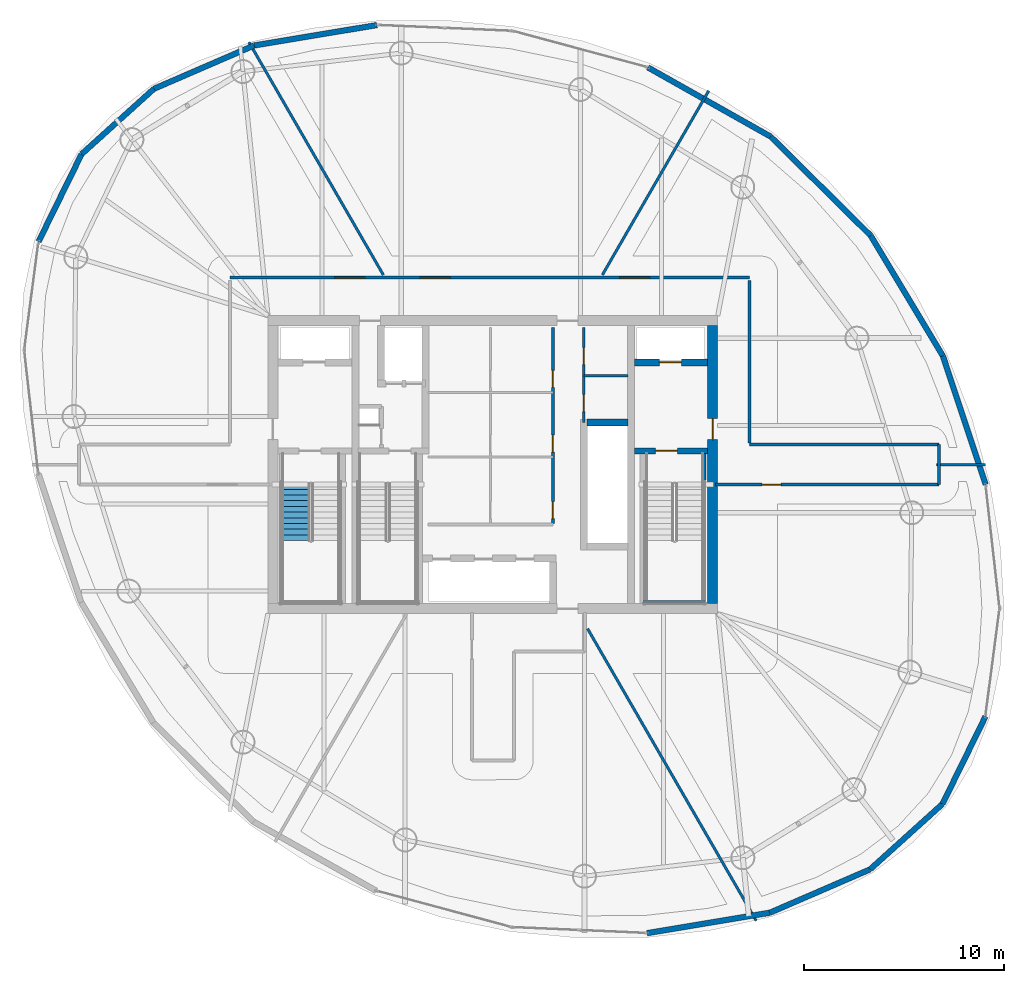
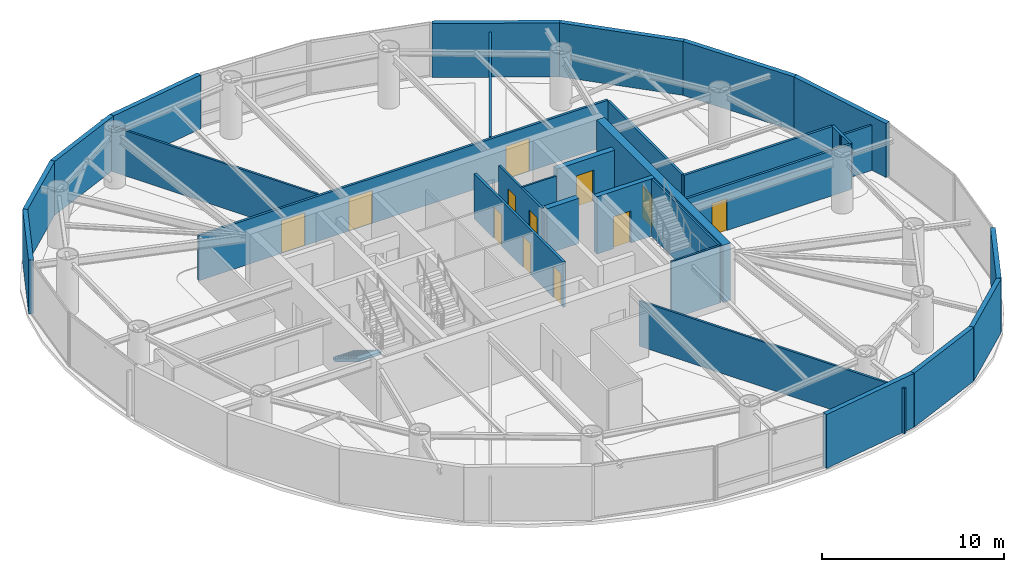
# One storey, part 15 of 20: 30 walls, 12 doors, 1 stair flight, 12 openings, 1 element without a shape of its own.
"""IFC4 building model written with IfcOpenShell, lengths in metres."""

from ifc_helpers import new_model, si_unit, direction, frame, frame_2d, origin, place, context, subcontext, project, spatial, polyline, rectangle, outline, extrude, material, layer, layer_set, type_object, element, fill, aggregate, save


model = new_model("IFC4")

# Units and contexts
model_context = context("Model", 3, precision=1e-05, world=origin(), true_north=direction((0.0, 1.0)))
body_context = subcontext(model_context, "Body", "Model", "MODEL_VIEW")
ifc_project = project(units=[si_unit("LENGTHUNIT", "METRE"), si_unit("AREAUNIT", "SQUARE_METRE"), si_unit("VOLUMEUNIT", "CUBIC_METRE"), si_unit("PLANEANGLEUNIT", "RADIAN"), si_unit("MASSUNIT", "GRAM", prefix="KILO")], contexts=[model_context])

# Site, building, storey
site_placement = place(None, origin())
site = spatial("IfcSite", under=ifc_project, at=site_placement, CompositionType="ELEMENT")
building_placement = place(site_placement, origin())
building = spatial("IfcBuilding", under=site, at=building_placement, Name="Bramvorn Convention Spire", CompositionType="ELEMENT")
storey_placement = place(building_placement, frame((0.0, 0.0, 178.89990234375)))
storey = spatial("IfcBuildingStorey", under=building, at=storey_placement, Name="L45", CompositionType="ELEMENT", Elevation=178.89990234375)

# Wall, opening, door
ifc_material_1 = material(Name="Concrete C50/60", Category="concrete")
ifc_layer_1 = layer(ifc_material_1, 0.5)
ifc_layer_set_1 = layer_set([ifc_layer_1], Name="Concrete C50/60 - WL-CORE-500")
wall_type_1 = type_object("IfcWallType", Name="WL-CORE-500", PredefinedType="SHEAR", material=ifc_layer_set_1)
wall_1_placement = place(storey_placement, frame((49.0, 19.050048828125, 0.0), z_axis=(0.0, 0.0, 1.0), x_axis=(0.0, 1.0, 0.0)))
wall_1 = element("IfcWall", 1, at=wall_1_placement, inside=storey, type_object=wall_type_1, Name="L45 East RC core shear wall", PredefinedType="SHEAR", context=body_context, shape_type="SweptSolid", body=[
    extrude(rectangle(XDim=13.89990234375, YDim=0.5, at=frame_2d((6.949951171875, 0.0))), origin(), (0.0, 0.0, 1.0), 3.85009765625),
])
opening_1_placement = place(wall_1_placement, frame((8.199951171875, 0.0, 0.0)))
opening_1 = element("IfcOpeningElement", 2, at=opening_1_placement, cuts=wall_1, Name="Opening DL-105", PredefinedType="OPENING", context=body_context, shape_type="SweptSolid", body=[
    extrude(rectangle(XDim=1.050048828125, YDim=2.14990234375, at=frame_2d((0.52490234375, 1.074951171875))), frame((0.0, 0.260009765625, 0.0), z_axis=(0.0, -1.0, 0.0), x_axis=(1.0, 0.0, 0.0)), (0.0, 0.0, 1.0), 0.52001953125),
])
ifc_material_2 = material(Name="Smoke-Sealed Fire Lobby Timber-Core Door", Category="wood")
door_type_1 = type_object("IfcDoorType", Name="DR-LOBBY-1050", OperationType="NOTDEFINED", PredefinedType="DOOR", material=ifc_material_2)
door_1_placement = place(opening_1_placement, origin())
door_1 = element("IfcDoor", 3, at=door_1_placement, inside=storey, type_object=door_type_1, Name="L45 East Firefighting Lobby corridor door", OperationType="SINGLE_SWING_LEFT", OverallHeight=2.14990234375, OverallWidth=1.050048828125, PredefinedType="DOOR", context=body_context, shape_type="SweptSolid", body=[
    extrude(rectangle(XDim=1.050048828125, YDim=2.14990234375, at=frame_2d((0.52490234375, 1.074951171875))), frame((0.0, 0.02490234375, 0.0), z_axis=(0.0, -1.0, 0.0), x_axis=(1.0, 0.0, 0.0)), (0.0, 0.0, 1.0), 0.050048828125),
])
fill(opening_1, door_1)

ifc_layer_2 = layer(ifc_material_1, 0.35009765625)
ifc_layer_set_2 = layer_set([ifc_layer_2], Name="Concrete C50/60 - WL-CORE-INT-350")
wall_type_2 = type_object("IfcWallType", Name="WL-CORE-INT-350", PredefinedType="SHEAR", material=ifc_layer_set_2)
wall_2_placement = place(storey_placement, frame((45.080078125, 31.1201171875, 0.0), z_axis=(0.0, 0.0, 1.0), x_axis=(1.0, 0.0, 0.0)))
wall_2 = element("IfcWall", 4, at=wall_2_placement, inside=storey, type_object=wall_type_2, Name="L45 FE2 shaft front wall", PredefinedType="SHEAR", context=body_context, shape_type="SweptSolid", body=[
    extrude(rectangle(XDim=3.669921875, YDim=0.35009765625, at=frame_2d((1.8349609375, 0.0))), origin(), (0.0, 0.0, 1.0), 3.03515625),
])
opening_2_placement = place(wall_2_placement, frame((1.25, 0.0, 0.0)))
opening_2 = element("IfcOpeningElement", 5, at=opening_2_placement, cuts=wall_2, Name="Opening LD-110", PredefinedType="OPENING", context=body_context, shape_type="SweptSolid", body=[
    extrude(rectangle(XDim=1.10009765625, YDim=2.14990234375, at=frame_2d((0.550048828125, 1.074951171875))), frame((0.0, 0.18505859375, 0.0), z_axis=(0.0, -1.0, 0.0), x_axis=(1.0, 0.0, 0.0)), (0.0, 0.0, 1.0), 0.3701171875),
])
ifc_material_3 = material(Name="Firefighting & Service Lift Sliding Landing Door", Category="steel")
door_type_2 = type_object("IfcDoorType", Name="DR-LIFT-LD-1100", OperationType="NOTDEFINED", PredefinedType="DOOR", material=ifc_material_3)
door_2_placement = place(opening_2_placement, origin())
door_2 = element("IfcDoor", 6, at=door_2_placement, inside=storey, type_object=door_type_2, Name="L45 Lift FE2 Sliding Landing Door", OperationType="SLIDING_TO_LEFT", OverallHeight=2.14990234375, OverallWidth=1.10009765625, PredefinedType="DOOR", context=body_context, shape_type="SweptSolid", body=[
    extrude(rectangle(XDim=1.10009765625, YDim=2.14990234375, at=frame_2d((0.550048828125, 1.074951171875))), frame((0.0, 0.02490234375, 0.0), z_axis=(0.0, -1.0, 0.0), x_axis=(1.0, 0.0, 0.0)), (0.0, 0.0, 1.0), 0.050048828125),
])
fill(opening_2, door_2)

# Walls
wall_3_placement = place(storey_placement, frame((42.719970703125, 28.10009765625, 0.0), z_axis=(0.0, 0.0, 1.0), x_axis=(1.0, 0.0, 0.0)))
element("IfcWall", 7, at=wall_3_placement, inside=storey, type_object=wall_type_2, Name="L45 High-rise lift bank north wall", PredefinedType="SHEAR", context=body_context, shape_type="SweptSolid", body=[
    extrude(rectangle(XDim=2.030029296875, YDim=0.35009765625, at=frame_2d((1.01513671875, 0.0))), origin(), (0.0, 0.0, 1.0), 3.03515625),
])
ifc_material_4 = material(Name="Precast Concrete C40/50 with Bronze Terracotta Rainscreen", Category="masonry")
ifc_layer_3 = layer(ifc_material_4, 0.300048828125)
ifc_layer_set_3 = layer_set([ifc_layer_3], Name="Precast Concrete C40/50 with Bronze Terracotta Rainscreen - WL-EXT-BRONZE-300")
wall_type_3 = type_object("IfcWallType", Name="WL-EXT-BRONZE-300", PredefinedType="SOLIDWALL", material=ifc_layer_set_3)
wall_4_placement = place(storey_placement, frame((62.642333984375, 13.397216796875, 0.0), z_axis=(0.0, 0.0, 1.0), x_axis=(-0.441235718271, -0.897391241835, 0.0)))
element("IfcWall", 8, at=wall_4_placement, inside=storey, type_object=wall_type_3, Name="L45 expressed bronze Gothic lancet pier wall 01", PredefinedType="SOLIDWALL", context=body_context, shape_type="SweptSolid", body=[
    extrude(rectangle(XDim=4.876220703125, YDim=0.280029296875, at=frame_2d((2.43798828125, 0.0))), origin(), (0.0, 0.0, 1.0), 3.6201171875),
])
wall_5_placement = place(storey_placement, frame((60.512451171875, 31.439453125, 0.0), z_axis=(0.0, 0.0, 1.0), x_axis=(0.315590755591, -0.948895397283, 0.0)))
element("IfcWall", 9, at=wall_5_placement, inside=storey, type_object=wall_type_3, Name="L45 expressed bronze Gothic lancet pier wall 04", PredefinedType="SOLIDWALL", context=body_context, shape_type="SweptSolid", body=[
    extrude(rectangle(XDim=6.784423828125, YDim=0.280029296875, at=frame_2d((3.39208984375, 0.0))), origin(), (0.0, 0.0, 1.0), 3.6201171875),
])
wall_6_placement = place(storey_placement, frame((56.90234375, 37.457275390625, 0.0), z_axis=(0.0, 0.0, 1.0), x_axis=(0.514434360632, -0.857529759601, 0.0)))
element("IfcWall", 10, at=wall_6_placement, inside=storey, type_object=wall_type_3, Name="L45 expressed bronze Gothic lancet pier wall 05", PredefinedType="SOLIDWALL", context=body_context, shape_type="SweptSolid", body=[
    extrude(rectangle(XDim=7.017578125, YDim=0.280029296875, at=frame_2d((3.5087890625, 0.0))), origin(), (0.0, 0.0, 1.0), 3.6201171875),
])
wall_7_placement = place(storey_placement, frame((51.893798828125, 42.41259765625, 0.0), z_axis=(0.0, 0.0, 1.0), x_axis=(0.710873697504, -0.703319689897, 0.0)))
element("IfcWall", 11, at=wall_7_placement, inside=storey, type_object=wall_type_3, Name="L45 expressed bronze Gothic lancet pier wall 06", PredefinedType="SOLIDWALL", context=body_context, shape_type="SweptSolid", body=[
    extrude(rectangle(XDim=7.045654296875, YDim=0.280029296875, at=frame_2d((3.52294921875, 0.0))), origin(), (0.0, 0.0, 1.0), 3.6201171875),
])
wall_8_placement = place(storey_placement, frame((45.756103515625, 45.871826171875, 0.0), z_axis=(0.0, 0.0, 1.0), x_axis=(0.87116433645, -0.490991546665, 0.0)))
element("IfcWall", 12, at=wall_8_placement, inside=storey, type_object=wall_type_3, Name="L45 expressed bronze Gothic lancet pier wall 07", PredefinedType="SOLIDWALL", context=body_context, shape_type="SweptSolid", body=[
    extrude(rectangle(XDim=7.04541015625, YDim=0.280029296875, at=frame_2d((3.522705078125, 0.0))), origin(), (0.0, 0.0, 1.0), 3.6201171875),
])
wall_9_placement = place(storey_placement, frame((26.05908203125, 46.970703125, 0.0), z_axis=(0.0, 0.0, 1.0), x_axis=(0.986490190097, 0.163820343186, 0.0)))
element("IfcWall", 13, at=wall_9_placement, inside=storey, type_object=wall_type_3, Name="L45 expressed bronze Gothic lancet pier wall 10", PredefinedType="SOLIDWALL", context=body_context, shape_type="SweptSolid", body=[
    extrude(rectangle(XDim=6.2265625, YDim=0.280029296875, at=frame_2d((3.11328125, 0.0))), origin(), (0.0, 0.0, 1.0), 3.6201171875),
])
wall_10_placement = place(storey_placement, frame((21.043701171875, 44.80078125, 0.0), z_axis=(0.0, 0.0, 1.0), x_axis=(0.917783118747, 0.39708204057, 0.0)))
element("IfcWall", 14, at=wall_10_placement, inside=storey, type_object=wall_type_3, Name="L45 expressed bronze Gothic lancet pier wall 11", PredefinedType="SOLIDWALL", context=body_context, shape_type="SweptSolid", body=[
    extrude(rectangle(XDim=5.464599609375, YDim=0.280029296875, at=frame_2d((2.732421875, 0.0))), origin(), (0.0, 0.0, 1.0), 3.6201171875),
])
for number, where, z_axis, x_axis, name in (
    (15, (17.4248046875, 41.53271484375, 0.0), (0.0, 0.0, 1.0), (0.742165304032, 0.67021687646, 0.0), "L45 expressed bronze Gothic lancet pier wall 12"),
    (16, (15.273193359375, 37.15673828125, 0.0), (0.0, 0.0, 1.0), (0.441235718271, 0.897391241835, 0.0), "L45 expressed bronze Gothic lancet pier wall 13"),
):
    element("IfcWall", number, at=place(storey_placement, frame(where, z_axis=z_axis, x_axis=x_axis)), inside=storey, type_object=wall_type_3, Name=name, PredefinedType="SOLIDWALL", context=body_context, shape_type="SweptSolid", body=[
        extrude(rectangle(XDim=4.876220703125, YDim=0.280029296875, at=frame_2d((2.43798828125, 0.0))), origin(), (0.0, 0.0, 1.0), 3.6201171875),
    ])
wall_11_placement = place(storey_placement, frame((51.8564453125, 3.583251953125, 0.0), z_axis=(0.0, 0.0, 1.0), x_axis=(-0.986490190097, -0.163820343186, 0.0)))
element("IfcWall", 17, at=wall_11_placement, inside=storey, type_object=wall_type_3, Name="L45 expressed bronze Gothic lancet pier wall 22", PredefinedType="SOLIDWALL", context=body_context, shape_type="SweptSolid", body=[
    extrude(rectangle(XDim=6.2265625, YDim=0.280029296875, at=frame_2d((3.11328125, 0.0))), origin(), (0.0, 0.0, 1.0), 3.6201171875),
])
wall_12_placement = place(storey_placement, frame((56.87158203125, 5.753173828125, 0.0), z_axis=(0.0, 0.0, 1.0), x_axis=(-0.917776074032, -0.397098322753, 0.0)))
element("IfcWall", 18, at=wall_12_placement, inside=storey, type_object=wall_type_3, Name="L45 expressed bronze Gothic lancet pier wall 23", PredefinedType="SOLIDWALL", context=body_context, shape_type="SweptSolid", body=[
    extrude(rectangle(XDim=5.46435546875, YDim=0.280029296875, at=frame_2d((2.732177734375, 0.0))), origin(), (0.0, 0.0, 1.0), 3.6201171875),
])
wall_13_placement = place(storey_placement, frame((60.49072265625, 9.021240234375, 0.0), z_axis=(0.0, 0.0, 1.0), x_axis=(-0.742187793078, -0.670191972352, 0.0)))
element("IfcWall", 19, at=wall_13_placement, inside=storey, type_object=wall_type_3, Name="L45 expressed bronze Gothic lancet pier wall 24", PredefinedType="SOLIDWALL", context=body_context, shape_type="SweptSolid", body=[
    extrude(rectangle(XDim=4.876220703125, YDim=0.280029296875, at=frame_2d((2.43798828125, 0.0))), origin(), (0.0, 0.0, 1.0), 3.6201171875),
])
ifc_material_5 = material(Name="Lightweight En-Suite & Wet-Wall Partition", Category="gypsum")
ifc_layer_4 = layer(ifc_material_5, 0.110107421875)
ifc_layer_set_4 = layer_set([ifc_layer_4], Name="Lightweight En-Suite & Wet-Wall Partition - WL-PART-110")
wall_type_4 = type_object("IfcWallType", Name="WL-PART-110", PredefinedType="PARTITIONING", material=ifc_layer_set_4)
wall_14_placement = place(storey_placement, frame((42.550048828125, 30.449951171875, 0.0), z_axis=(0.0, 0.0, 1.0), x_axis=(1.0, 0.0, 0.0)))
element("IfcWall", 20, at=wall_14_placement, inside=storey, type_object=wall_type_4, Name="L45 KB NE divider", PredefinedType="PARTITIONING", context=body_context, shape_type="SweptSolid", body=[
    extrude(rectangle(XDim=2.199951171875, YDim=0.110107421875, at=frame_2d((1.10009765625, 0.0))), origin(), (0.0, 0.0, 1.0), 3.03515625),
])

# Wall, openings, doors
ifc_material_6 = material(Name="Metal-Stud Demountable Office Partition", Category="gypsum")
ifc_layer_5 = layer(ifc_material_6, 0.1298828125)
ifc_layer_set_5 = layer_set([ifc_layer_5], Name="Metal-Stud Demountable Office Partition - WL-PART-130")
wall_type_5 = type_object("IfcWallType", Name="WL-PART-130", PredefinedType="PARTITIONING", material=ifc_layer_set_5)
wall_15_placement = place(storey_placement, frame((42.550048828125, 28.10009765625, 0.0), z_axis=(0.0, 0.0, 1.0), x_axis=(0.0, 1.0, 0.0)))
wall_15 = element("IfcWall", 21, at=wall_15_placement, inside=storey, type_object=wall_type_5, Name="L45 KB NE split wall", PredefinedType="PARTITIONING", context=body_context, shape_type="SweptSolid", body=[
    extrude(rectangle(XDim=4.75, YDim=0.1298828125, at=frame_2d((2.375, 0.0))), origin(), (0.0, 0.0, 1.0), 3.03515625),
])
opening_3_placement = place(wall_15_placement, frame((0.550048828125, 0.0, 0.0)))
opening_3 = element("IfcOpeningElement", 22, at=opening_3_placement, cuts=wall_15, Name="Opening DC-085", PredefinedType="OPENING", context=body_context, shape_type="SweptSolid", body=[
    extrude(rectangle(XDim=0.85009765625, YDim=2.10009765625, at=frame_2d((0.425048828125, 1.050048828125))), frame((0.0, 0.074951171875, 0.0), z_axis=(0.0, -1.0, 0.0), x_axis=(1.0, 0.0, 0.0)), (0.0, 0.0, 1.0), 0.14990234375),
])
opening_4_placement = place(wall_15_placement, frame((2.89990234375, 0.0, 0.0)))
opening_4 = element("IfcOpeningElement", 23, at=opening_4_placement, cuts=wall_15, Name="Opening DC-085", PredefinedType="OPENING", context=body_context, shape_type="SweptSolid", body=[
    extrude(rectangle(XDim=0.85009765625, YDim=2.10009765625, at=frame_2d((0.425048828125, 1.050048828125))), frame((0.0, 0.074951171875, 0.0), z_axis=(0.0, -1.0, 0.0), x_axis=(1.0, 0.0, 0.0)), (0.0, 0.0, 1.0), 0.14990234375),
])
ifc_material_7 = material(Name="Fire-Rated Core Washroom & IDF Door", Category="wood")
door_type_3 = type_object("IfcDoorType", Name="DR-CORE-850", OperationType="NOTDEFINED", PredefinedType="DOOR", material=ifc_material_7)
door_3_placement = place(opening_3_placement, origin())
door_3 = element("IfcDoor", 24, at=door_3_placement, inside=storey, type_object=door_type_3, Name="L45 Core Staff WC door", OperationType="SINGLE_SWING_LEFT", OverallHeight=2.10009765625, OverallWidth=0.85009765625, PredefinedType="DOOR", context=body_context, shape_type="SweptSolid", body=[
    extrude(rectangle(XDim=0.85009765625, YDim=2.10009765625, at=frame_2d((0.425048828125, 1.050048828125))), frame((0.0, 0.02490234375, 0.0), z_axis=(0.0, -1.0, 0.0), x_axis=(1.0, 0.0, 0.0)), (0.0, 0.0, 1.0), 0.050048828125),
])
fill(opening_3, door_3)
door_4_placement = place(opening_4_placement, origin())
door_4 = element("IfcDoor", 25, at=door_4_placement, inside=storey, type_object=door_type_3, Name="L45 Core Data Closet door", OperationType="SINGLE_SWING_LEFT", OverallHeight=2.10009765625, OverallWidth=0.85009765625, PredefinedType="DOOR", context=body_context, shape_type="SweptSolid", body=[
    extrude(rectangle(XDim=0.85009765625, YDim=2.10009765625, at=frame_2d((0.425048828125, 1.050048828125))), frame((0.0, 0.02490234375, 0.0), z_axis=(0.0, -1.0, 0.0), x_axis=(1.0, 0.0, 0.0)), (0.0, 0.0, 1.0), 0.050048828125),
])
fill(opening_4, door_4)

# Walls
wall_16_placement = place(storey_placement, frame((60.20068359375, 26.0, 0.0), z_axis=(0.0, 0.0, 1.0), x_axis=(1.0, 0.0, 0.0)))
element("IfcWall", 26, at=wall_16_placement, inside=storey, type_object=wall_type_5, Name="L45 Tenant suite partition 1", PredefinedType="PARTITIONING", context=body_context, shape_type="SweptSolid", body=[
    extrude(rectangle(XDim=2.43701171875, YDim=0.1298828125, at=frame_2d((1.218505859375, 0.0))), origin(), (0.0, 0.0, 1.0), 3.03515625),
])
wall_17_placement = place(storey_placement, frame((43.47900390625, 35.489990234375, 0.0), z_axis=(0.0, 0.0, 1.0), x_axis=(0.500004366266, 0.866022882905, 0.0)))
element("IfcWall", 27, at=wall_17_placement, inside=storey, type_object=wall_type_5, Name="L45 Tenant suite partition 2", PredefinedType="PARTITIONING", context=body_context, shape_type="SweptSolid", body=[
    extrude(rectangle(XDim=10.64501953125, YDim=0.1298828125, at=frame_2d((5.322509765625, 0.0))), origin(), (0.0, 0.0, 1.0), 3.03515625),
])
wall_18_placement = place(storey_placement, frame((32.52099609375, 35.489990234375, 0.0), z_axis=(0.0, 0.0, 1.0), x_axis=(-0.500004209807, 0.866022973237, 0.0)))
element("IfcWall", 28, at=wall_18_placement, inside=storey, type_object=wall_type_5, Name="L45 Tenant suite partition 3", PredefinedType="PARTITIONING", context=body_context, shape_type="SweptSolid", body=[
    extrude(rectangle(XDim=13.451171875, YDim=0.1298828125, at=frame_2d((6.7255859375, 0.0))), origin(), (0.0, 0.0, 1.0), 3.03515625),
])
wall_19_placement = place(storey_placement, frame((42.739990234375, 17.7900390625, 0.0), z_axis=(0.0, 0.0, 1.0), x_axis=(0.500003906344, -0.866023148444, 0.0)))
element("IfcWall", 29, at=wall_19_placement, inside=storey, type_object=wall_type_5, Name="L45 Tenant suite partition 6", PredefinedType="PARTITIONING", context=body_context, shape_type="SweptSolid", body=[
    extrude(rectangle(XDim=16.869384765625, YDim=0.1298828125, at=frame_2d((8.4345703125, 0.0))), origin(), (0.0, 0.0, 1.0), 3.03515625),
])

# Wall, openings, doors
ifc_material_8 = material(Name="Acoustic Metal-Stud Tenant/Corridor Partition", Category="gypsum")
ifc_layer_6 = layer(ifc_material_8, 0.14990234375)
ifc_layer_set_6 = layer_set([ifc_layer_6], Name="Acoustic Metal-Stud Tenant/Corridor Partition - WL-PART-150")
wall_type_6 = type_object("IfcWallType", Name="WL-PART-150", PredefinedType="PARTITIONING", material=ifc_layer_set_6)
wall_20_placement = place(storey_placement, frame((41.0, 23.050048828125, 0.0), z_axis=(0.0, 0.0, 1.0), x_axis=(0.0, 1.0, 0.0)))
wall_20 = element("IfcWall", 30, at=wall_20_placement, inside=storey, type_object=wall_type_6, Name="L45 KB east core wall", PredefinedType="PARTITIONING", context=body_context, shape_type="SweptSolid", body=[
    extrude(rectangle(XDim=9.800048828125, YDim=0.14990234375, at=frame_2d((4.89990234375, 0.0))), origin(), (0.0, 0.0, 1.0), 3.03515625),
])
opening_5_placement = place(wall_20_placement, frame((0.25, 0.0, 0.0)))
opening_5 = element("IfcOpeningElement", 31, at=opening_5_placement, cuts=wall_20, Name="Opening DC-085", PredefinedType="OPENING", context=body_context, shape_type="SweptSolid", body=[
    extrude(rectangle(XDim=0.85009765625, YDim=2.10009765625, at=frame_2d((0.425048828125, 1.050048828125))), frame((0.0, 0.0849609375, 0.0), z_axis=(0.0, -1.0, 0.0), x_axis=(1.0, 0.0, 0.0)), (0.0, 0.0, 1.0), 0.169921875),
])
opening_6_placement = place(wall_20_placement, frame((3.58203125, 0.0, 0.0)))
opening_6 = element("IfcOpeningElement", 32, at=opening_6_placement, cuts=wall_20, Name="Opening DC-085", PredefinedType="OPENING", context=body_context, shape_type="SweptSolid", body=[
    extrude(rectangle(XDim=0.85009765625, YDim=2.10009765625, at=frame_2d((0.425048828125, 1.050048828125))), frame((0.0, 0.0849609375, 0.0), z_axis=(0.0, -1.0, 0.0), x_axis=(1.0, 0.0, 0.0)), (0.0, 0.0, 1.0), 0.169921875),
])
opening_7_placement = place(wall_20_placement, frame((6.81591796875, 0.0, 0.0)))
opening_7 = element("IfcOpeningElement", 33, at=opening_7_placement, cuts=wall_20, Name="Opening DC-085", PredefinedType="OPENING", context=body_context, shape_type="SweptSolid", body=[
    extrude(rectangle(XDim=0.85009765625, YDim=2.10009765625, at=frame_2d((0.425048828125, 1.050048828125))), frame((0.0, 0.0849609375, 0.0), z_axis=(0.0, -1.0, 0.0), x_axis=(1.0, 0.0, 0.0)), (0.0, 0.0, 1.0), 0.169921875),
])
door_5_placement = place(opening_5_placement, origin())
door_5 = element("IfcDoor", 34, at=door_5_placement, inside=storey, type_object=door_type_3, Name="L45 Accessible Core Restroom door", OperationType="SINGLE_SWING_LEFT", OverallHeight=2.10009765625, OverallWidth=0.85009765625, PredefinedType="DOOR", context=body_context, shape_type="SweptSolid", body=[
    extrude(rectangle(XDim=0.85009765625, YDim=2.10009765625, at=frame_2d((0.425048828125, 1.050048828125))), frame((0.0, 0.02490234375, 0.0), z_axis=(0.0, -1.0, 0.0), x_axis=(1.0, 0.0, 0.0)), (0.0, 0.0, 1.0), 0.050048828125),
])
fill(opening_5, door_5)
door_6_placement = place(opening_6_placement, origin())
door_6 = element("IfcDoor", 35, at=door_6_placement, inside=storey, type_object=door_type_3, Name="L45 Tenant Pantry & Copy Centre door", OperationType="SINGLE_SWING_LEFT", OverallHeight=2.10009765625, OverallWidth=0.85009765625, PredefinedType="DOOR", context=body_context, shape_type="SweptSolid", body=[
    extrude(rectangle(XDim=0.85009765625, YDim=2.10009765625, at=frame_2d((0.425048828125, 1.050048828125))), frame((0.0, 0.02490234375, 0.0), z_axis=(0.0, -1.0, 0.0), x_axis=(1.0, 0.0, 0.0)), (0.0, 0.0, 1.0), 0.050048828125),
])
fill(opening_6, door_6)
door_7_placement = place(opening_7_placement, origin())
door_7 = element("IfcDoor", 36, at=door_7_placement, inside=storey, type_object=door_type_3, Name="L45 Gender-Neutral Core WC door", OperationType="SINGLE_SWING_LEFT", OverallHeight=2.10009765625, OverallWidth=0.85009765625, PredefinedType="DOOR", context=body_context, shape_type="SweptSolid", body=[
    extrude(rectangle(XDim=0.85009765625, YDim=2.10009765625, at=frame_2d((0.425048828125, 1.050048828125))), frame((0.0, 0.02490234375, 0.0), z_axis=(0.0, -1.0, 0.0), x_axis=(1.0, 0.0, 0.0)), (0.0, 0.0, 1.0), 0.050048828125),
])
fill(opening_7, door_7)

wall_21_placement = place(storey_placement, frame((24.85009765625, 35.35009765625, 0.0), z_axis=(0.0, 0.0, 1.0), x_axis=(1.0, 0.0, 0.0)))
wall_21 = element("IfcWall", 37, at=wall_21_placement, inside=storey, type_object=wall_type_6, Name="L45 North gallery wall", PredefinedType="PARTITIONING", context=body_context, shape_type="SweptSolid", body=[
    extrude(rectangle(XDim=26.0, YDim=0.14990234375, at=frame_2d((13.0, 0.0))), origin(), (0.0, 0.0, 1.0), 3.03515625),
])
opening_8_placement = place(wall_21_placement, frame((19.49072265625, 0.0, 0.0)))
opening_8 = element("IfcOpeningElement", 38, at=opening_8_placement, cuts=wall_21, Name="Opening DC-150", PredefinedType="OPENING", context=body_context, shape_type="SweptSolid", body=[
    extrude(rectangle(XDim=1.5, YDim=2.199951171875, at=frame_2d((0.75, 1.10009765625))), frame((0.0, 0.0849609375, 0.0), z_axis=(0.0, -1.0, 0.0), x_axis=(1.0, 0.0, 0.0)), (0.0, 0.0, 1.0), 0.169921875),
])
opening_9_placement = place(wall_21_placement, frame((9.51611328125, 0.0, 0.0)))
opening_9 = element("IfcOpeningElement", 39, at=opening_9_placement, cuts=wall_21, Name="Opening DC-150", PredefinedType="OPENING", context=body_context, shape_type="SweptSolid", body=[
    extrude(rectangle(XDim=1.5, YDim=2.199951171875, at=frame_2d((0.75, 1.10009765625))), frame((0.0, 0.0849609375, 0.0), z_axis=(0.0, -1.0, 0.0), x_axis=(1.0, 0.0, 0.0)), (0.0, 0.0, 1.0), 0.169921875),
])
opening_10_placement = place(wall_21_placement, frame((5.234130859375, 0.0, 0.0)))
opening_10 = element("IfcOpeningElement", 40, at=opening_10_placement, cuts=wall_21, Name="Opening DC-150", PredefinedType="OPENING", context=body_context, shape_type="SweptSolid", body=[
    extrude(rectangle(XDim=1.5, YDim=2.199951171875, at=frame_2d((0.75, 1.10009765625))), frame((0.0, 0.0849609375, 0.0), z_axis=(0.0, -1.0, 0.0), x_axis=(1.0, 0.0, 0.0)), (0.0, 0.0, 1.0), 0.169921875),
])
ifc_material_9 = material(Name="Double-Leaf Smoke-Control Corridor Door", Category="wood")
door_type_4 = type_object("IfcDoorType", Name="DR-COR-1500", OperationType="NOTDEFINED", PredefinedType="DOOR", material=ifc_material_9)
door_8_placement = place(opening_8_placement, origin())
door_8 = element("IfcDoor", 41, at=door_8_placement, inside=storey, type_object=door_type_4, Name="L45 Open-Plan Engineering Office A 1 door", OperationType="DOUBLE_DOOR_SINGLE_SWING", OverallHeight=2.199951171875, OverallWidth=1.5, PredefinedType="DOOR", context=body_context, shape_type="SweptSolid", body=[
    extrude(rectangle(XDim=1.5, YDim=2.199951171875, at=frame_2d((0.75, 1.10009765625))), frame((0.0, 0.02490234375, 0.0), z_axis=(0.0, -1.0, 0.0), x_axis=(1.0, 0.0, 0.0)), (0.0, 0.0, 1.0), 0.050048828125),
])
fill(opening_8, door_8)
door_9_placement = place(opening_9_placement, origin())
door_9 = element("IfcDoor", 42, at=door_9_placement, inside=storey, type_object=door_type_4, Name="L45 Open-Plan Engineering Office B 2 door", OperationType="DOUBLE_DOOR_SINGLE_SWING", OverallHeight=2.199951171875, OverallWidth=1.5, PredefinedType="DOOR", context=body_context, shape_type="SweptSolid", body=[
    extrude(rectangle(XDim=1.5, YDim=2.199951171875, at=frame_2d((0.75, 1.10009765625))), frame((0.0, 0.02490234375, 0.0), z_axis=(0.0, -1.0, 0.0), x_axis=(1.0, 0.0, 0.0)), (0.0, 0.0, 1.0), 0.050048828125),
])
fill(opening_9, door_9)
door_10_placement = place(opening_10_placement, origin())
door_10 = element("IfcDoor", 43, at=door_10_placement, inside=storey, type_object=door_type_4, Name="L45 Open-Plan Digital Office C 3 door", OperationType="DOUBLE_DOOR_SINGLE_SWING", OverallHeight=2.199951171875, OverallWidth=1.5, PredefinedType="DOOR", context=body_context, shape_type="SweptSolid", body=[
    extrude(rectangle(XDim=1.5, YDim=2.199951171875, at=frame_2d((0.75, 1.10009765625))), frame((0.0, 0.02490234375, 0.0), z_axis=(0.0, -1.0, 0.0), x_axis=(1.0, 0.0, 0.0)), (0.0, 0.0, 1.0), 0.050048828125),
])
fill(opening_10, door_10)

# Walls
wall_22_placement = place(storey_placement, frame((50.85009765625, 27.080078125, 0.0), z_axis=(0.0, 0.0, 1.0), x_axis=(0.0, 1.0, 0.0)))
element("IfcWall", 44, at=wall_22_placement, inside=storey, type_object=wall_type_6, Name="L45 NE gallery cheek", PredefinedType="PARTITIONING", context=body_context, shape_type="SweptSolid", body=[
    extrude(rectangle(XDim=8.119873046875, YDim=0.14990234375, at=frame_2d((4.06005859375, 0.0))), origin(), (0.0, 0.0, 1.0), 3.03515625),
])
wall_23_placement = place(storey_placement, frame((50.85009765625, 27.0, 0.0), z_axis=(0.0, 0.0, 1.0), x_axis=(1.0, 0.0, 0.0)))
element("IfcWall", 45, at=wall_23_placement, inside=storey, type_object=wall_type_6, Name="L45 East wing spine north wall", PredefinedType="PARTITIONING", context=body_context, shape_type="SweptSolid", body=[
    extrude(rectangle(XDim=9.48095703125, YDim=0.14990234375, at=frame_2d((4.740478515625, 0.0))), origin(), (0.0, 0.0, 1.0), 3.03515625),
])

# Wall, opening, door
wall_24_placement = place(storey_placement, frame((49.14990234375, 25.0, 0.0), z_axis=(0.0, 0.0, 1.0), x_axis=(1.0, 0.0, 0.0)))
wall_24 = element("IfcWall", 46, at=wall_24_placement, inside=storey, type_object=wall_type_6, Name="L45 East wing spine south wall", PredefinedType="PARTITIONING", context=body_context, shape_type="SweptSolid", body=[
    extrude(rectangle(XDim=11.18115234375, YDim=0.14990234375, at=frame_2d((5.590576171875, 0.0))), origin(), (0.0, 0.0, 1.0), 3.03515625),
])
opening_11_placement = place(wall_24_placement, frame((2.3203125, 0.0, 0.0)))
opening_11 = element("IfcOpeningElement", 47, at=opening_11_placement, cuts=wall_24, Name="Opening DH-095", PredefinedType="OPENING", context=body_context, shape_type="SweptSolid", body=[
    extrude(rectangle(XDim=0.949951171875, YDim=2.14990234375, at=frame_2d((0.47509765625, 1.074951171875))), frame((0.0, 0.0849609375, 0.0), z_axis=(0.0, -1.0, 0.0), x_axis=(1.0, 0.0, 0.0)), (0.0, 0.0, 1.0), 0.169921875),
])
ifc_material_10 = material(Name="Solid-Core Acoustic Guestroom Entry Door", Category="wood")
door_type_5 = type_object("IfcDoorType", Name="DR-HOTEL-950", OperationType="NOTDEFINED", PredefinedType="DOOR", material=ifc_material_10)
door_11_placement = place(opening_11_placement, origin())
door_11 = element("IfcDoor", 48, at=door_11_placement, inside=storey, type_object=door_type_5, Name="L45 Staff Kitchenette 6 door", OperationType="SINGLE_SWING_LEFT", OverallHeight=2.14990234375, OverallWidth=0.949951171875, PredefinedType="DOOR", context=body_context, shape_type="SweptSolid", body=[
    extrude(rectangle(XDim=0.949951171875, YDim=2.14990234375, at=frame_2d((0.47509765625, 1.074951171875))), frame((0.0, 0.02490234375, 0.0), z_axis=(0.0, -1.0, 0.0), x_axis=(1.0, 0.0, 0.0)), (0.0, 0.0, 1.0), 0.050048828125),
])
fill(opening_11, door_11)

# Wall
wall_25_placement = place(storey_placement, frame((60.3310546875, 25.0, 0.0), z_axis=(0.0, 0.0, 1.0), x_axis=(0.0, 1.0, 0.0)))
element("IfcWall", 49, at=wall_25_placement, inside=storey, type_object=wall_type_6, Name="L45 East wing spine end wall", PredefinedType="PARTITIONING", context=body_context, shape_type="SweptSolid", body=[
    extrude(rectangle(XDim=2.0, YDim=0.14990234375, at=frame_2d((1.0, 0.0))), origin(), (0.0, 0.0, 1.0), 3.03515625),
])

# Wall, opening, door
ifc_layer_7 = layer(ifc_material_1, 0.300048828125)
ifc_layer_set_7 = layer_set([ifc_layer_7], Name="Concrete C50/60 - WL-POD-STAIR-300")
wall_type_7 = type_object("IfcWallType", Name="WL-POD-STAIR-300", PredefinedType="SHEAR", material=ifc_layer_set_7)
wall_26_placement = place(storey_placement, frame((45.080078125, 26.68994140625, 0.0), z_axis=(0.0, 0.0, 1.0), x_axis=(1.0, 0.0, 0.0)))
wall_26 = element("IfcWall", 50, at=wall_26_placement, inside=storey, type_object=wall_type_7, Name="L45 ST2 north fire wall", PredefinedType="SHEAR", context=body_context, shape_type="SweptSolid", body=[
    extrude(rectangle(XDim=3.669921875, YDim=0.300048828125, at=frame_2d((1.8349609375, 0.0))), origin(), (0.0, 0.0, 1.0), 3.85009765625),
])
opening_12_placement = place(wall_26_placement, frame((1.050048828125, 0.0, 0.0)))
opening_12 = element("IfcOpeningElement", 51, at=opening_12_placement, cuts=wall_26, Name="Opening DS-110", PredefinedType="OPENING", context=body_context, shape_type="SweptSolid", body=[
    extrude(rectangle(XDim=1.10009765625, YDim=2.14990234375, at=frame_2d((0.550048828125, 1.074951171875))), frame((0.0, 0.159912109375, 0.0), z_axis=(0.0, -1.0, 0.0), x_axis=(1.0, 0.0, 0.0)), (0.0, 0.0, 1.0), 0.320068359375),
])
ifc_material_11 = material(Name="Fire-Rated Hollow Steel Stairwell Door", Category="steel")
door_type_6 = type_object("IfcDoorType", Name="DR-STAIR-1100", OperationType="NOTDEFINED", PredefinedType="DOOR", material=ifc_material_11)
door_12_placement = place(opening_12_placement, origin())
door_12 = element("IfcDoor", 52, at=door_12_placement, inside=storey, type_object=door_type_6, Name="L45 Stair ST2 fire door", OperationType="SINGLE_SWING_RIGHT", OverallHeight=2.14990234375, OverallWidth=1.10009765625, PredefinedType="DOOR", context=body_context, shape_type="SweptSolid", body=[
    extrude(rectangle(XDim=1.10009765625, YDim=2.14990234375, at=frame_2d((0.550048828125, 1.074951171875))), frame((0.0, 0.02490234375, 0.0), z_axis=(0.0, -1.0, 0.0), x_axis=(1.0, 0.0, 0.0)), (0.0, 0.0, 1.0), 0.050048828125),
])
fill(opening_12, door_12)

# Walls
ifc_layer_8 = layer(ifc_material_1, 0.1201171875)
ifc_layer_set_8 = layer_set([ifc_layer_8], Name="Concrete C50/60 - WL-STAIR-RC-120")
wall_type_8 = type_object("IfcWallType", Name="WL-STAIR-RC-120", PredefinedType="SHEAR", material=ifc_layer_set_8)
wall_27_placement = place(storey_placement, frame((48.60498046875, 19.10009765625, 0.0), z_axis=(0.0, 0.0, 1.0), x_axis=(0.0, 1.0, 0.0)))
element("IfcWall", 53, at=wall_27_placement, inside=storey, type_object=wall_type_8, Name="L45 ST2 east bearing shear wall", PredefinedType="SHEAR", context=body_context, shape_type="SweptSolid", body=[
    extrude(rectangle(XDim=7.449951171875, YDim=0.1201171875, at=frame_2d((3.72509765625, 0.0))), origin(), (0.0, 0.0, 1.0), 3.85009765625),
])
wall_28_placement = place(storey_placement, frame((45.510009765625, 19.159912109375, 0.0), z_axis=(0.0, 0.0, 1.0), x_axis=(1.0, 0.0, 0.0)))
element("IfcWall", 54, at=wall_28_placement, inside=storey, type_object=wall_type_8, Name="L45 ST2 south bearing shear wall", PredefinedType="SHEAR", context=body_context, shape_type="SweptSolid", body=[
    extrude(rectangle(XDim=3.094970703125, YDim=0.1201171875, at=frame_2d((1.54736328125, 0.0))), origin(), (0.0, 0.0, 1.0), 3.85009765625),
])

# Stair, stair flight
ifc_material_12 = material(Name="Concrete C40/50 Precast Stair", Category="concrete")
stair_type = type_object("IfcStairType", Name="ST-TOWER-1550", PredefinedType="HALF_TURN_STAIR", material=ifc_material_12)
stair_placement = place(storey_placement, origin())
stair = element("IfcStair", 55, at=stair_placement, inside=storey, type_object=stair_type, Name="L45 Protected Exit Stair ST1", PredefinedType="HALF_TURN_STAIR")
ifc_material_13 = material(Name="Concrete C40/50 Precast Stair Flight", Category="concrete")
stair_flight_type = type_object("IfcStairFlightType", Name="STF-TOWER-1550", PredefinedType="STRAIGHT", material=ifc_material_13)
stair_flight_placement = place(storey_placement, frame((28.155029296875, 25.050048828125, 0.0), z_axis=(0.0, 0.0, 1.0), x_axis=(0.0, -1.0, 0.0)))
stair_flight = element("IfcStairFlight", 56, at=stair_flight_placement, type_object=stair_flight_type, Name="ST1 flight 1", NumberOfRisers=11, NumberOfTreads=10, PredefinedType="STRAIGHT", RiserHeight=0.175, TreadLength=0.285, context=body_context, shape_type="SweptSolid", body=[
    extrude(outline(polyline([(0.0, 0.0), (0.0, 0.175048828125), (0.284912109375, 0.175048828125), (0.284912109375, 0.35009765625), (0.570068359375, 0.35009765625), (0.570068359375, 0.52490234375), (0.85498046875, 0.52490234375), (0.85498046875, 0.699951171875), (1.139892578125, 0.699951171875), (1.139892578125, 0.875), (1.425048828125, 0.875), (1.425048828125, 1.050048828125), (1.7099609375, 1.050048828125), (1.7099609375, 1.22509765625), (1.9951171875, 1.22509765625), (1.9951171875, 1.39990234375), (2.280029296875, 1.39990234375), (2.280029296875, 1.574951171875), (2.56494140625, 1.574951171875), (2.56494140625, 1.75), (2.85009765625, 1.75), (2.85009765625, 1.925048828125), (2.85009765625, 1.573974609375), (0.286376953125, 0.0), (0.0, 0.0)])), frame((0.0, 0.705078125, 0.0), z_axis=(0.0, -1.0, 0.0), x_axis=(1.0, 0.0, 0.0)), (0.0, 0.0, 1.0), 1.409912109375),
])
aggregate(stair, [stair_flight])

save(model, "model.ifc")
